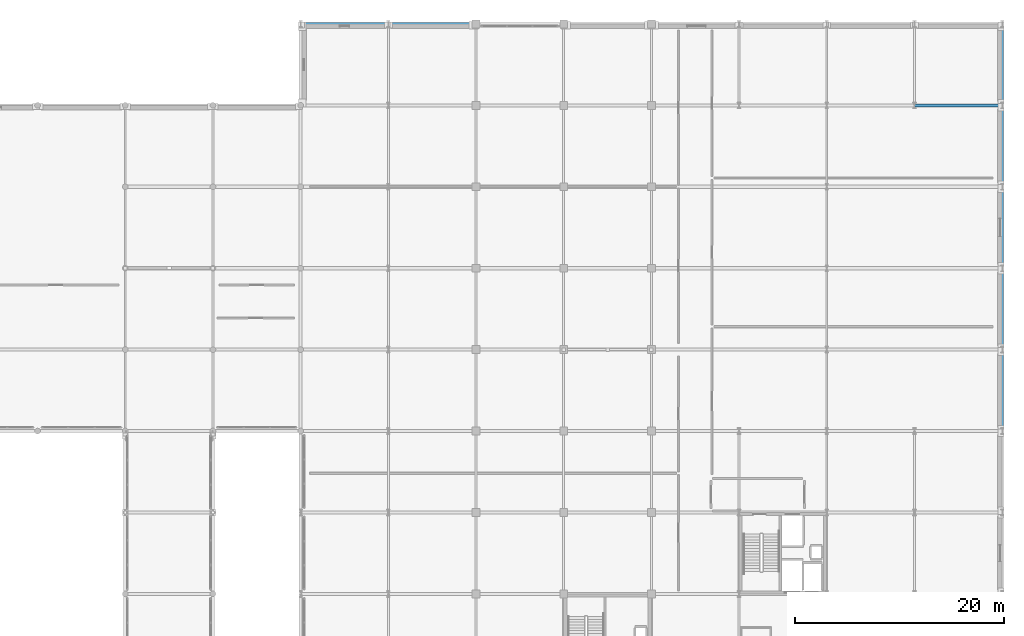
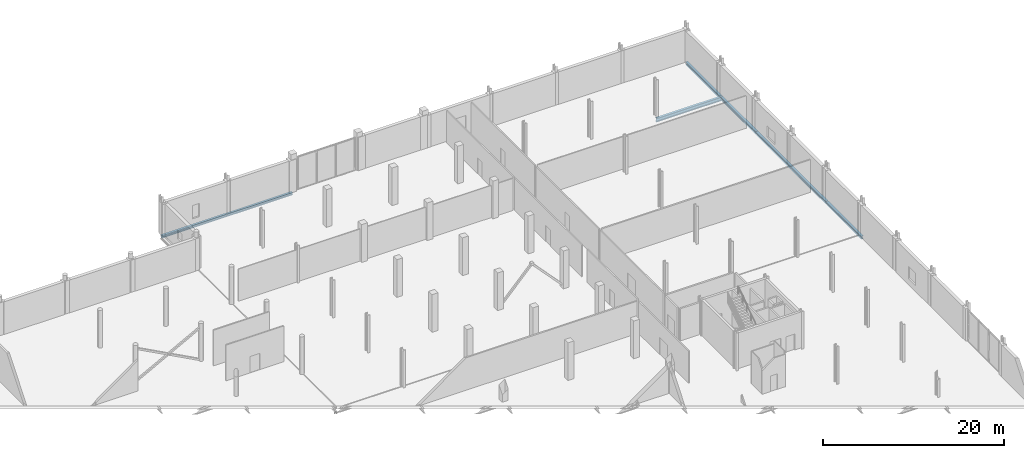
# One storey, part 65 of 105: 8 beams.
"""IFC4 building model written with IfcOpenShell, lengths in metres."""

import ifcopenshell
import ifcopenshell.guid

model = None  # the IFC model being written
_history = None  # IfcOwnerHistory: only IFC2X3 demands one
_inside = {}  # id of a spatial element -> (the spatial element, [elements in it])
_under = {}  # id of a project, library or spatial element -> (it, [spatial elements below it])
_declared = {}  # id of a project -> (the project, [libraries it declares])
_typed = {}  # id of a type object -> (the type object, [elements of that type])
_made_of = {}  # id of a material, layer set ... -> (it, [elements and type objects made of it])


def new_model(schema):
    """Start an empty IFC model of exactly this schema.

    Asked for "IFC4X3", IfcOpenShell would pick the latest addendum, in which some entities
    have other attributes; the version numbers below select the first issue.
    IFC2X3 requires an IfcOwnerHistory on every rooted entity: one is made here for all.
    """
    global model, _history
    if schema == "IFC4X3":
        model = ifcopenshell.file(schema_version=(4, 3, 0, 0))
    else:
        model = ifcopenshell.file(schema=schema)
    _inside.clear()
    _under.clear()
    _declared.clear()
    _typed.clear()
    _made_of.clear()
    _history = None
    if model.schema == "IFC2X3":
        org = make("IfcOrganization", Name="unknown")
        user = make(
            "IfcPersonAndOrganization",
            ThePerson=make("IfcPerson", FamilyName="unknown"),
            TheOrganization=org,
        )
        app = make(
            "IfcApplication",
            ApplicationDeveloper=org,
            Version="unknown",
            ApplicationFullName="unknown",
            ApplicationIdentifier="unknown",
        )
        _history = make(
            "IfcOwnerHistory",
            OwningUser=user,
            OwningApplication=app,
            ChangeAction="ADDED",
            CreationDate=0,
        )
    return model


def make(cls, **values):
    """One entity of the class cls with the attributes given. An attribute that is None is left unset."""
    return model.create_entity(
        cls, **{name: value for name, value in values.items() if value is not None}
    )


def rooted(cls, **values):
    """An entity with a GlobalId (a new one), such as an element, a storey or a relation."""
    return make(cls, GlobalId=ifcopenshell.guid.new(), OwnerHistory=_history, **values)


def si_unit(unit_type, name, prefix=None):
    """IfcSIUnit, for example si_unit("LENGTHUNIT", "METRE", prefix="MILLI")."""
    return make("IfcSIUnit", UnitType=unit_type, Prefix=prefix, Name=name)


def assignment(units):
    """IfcUnitAssignment: the units of a project."""
    return None if units is None else make("IfcUnitAssignment", Units=units)


def point(xyz):
    """IfcCartesianPoint."""
    return None if xyz is None else make("IfcCartesianPoint", Coordinates=xyz)


def direction(xyz):
    """IfcDirection."""
    return None if xyz is None else make("IfcDirection", DirectionRatios=xyz)


def frame(location, z_axis=None, x_axis=None):
    """IfcAxis2Placement3D, a coordinate frame: its origin and axes. An axis left out is left unset."""
    return make(
        "IfcAxis2Placement3D",
        Location=point(location),
        Axis=direction(z_axis),
        RefDirection=direction(x_axis),
    )


def frame_2d(location, x_axis=None):
    """IfcAxis2Placement2D, a coordinate frame in the plane: its origin and x axis."""
    return make(
        "IfcAxis2Placement2D", Location=point(location), RefDirection=direction(x_axis)
    )


def origin():
    """The frame at (0, 0, 0) with its axes left unset."""
    return frame((0.0, 0.0, 0.0))


def origin_2d():
    """The frame at (0, 0) in the plane with its x axis left unset."""
    return frame_2d((0.0, 0.0))


def place(relative_to, where):
    """IfcLocalPlacement: puts the frame where relative to a parent placement (None: the world)."""
    return make(
        "IfcLocalPlacement", PlacementRelTo=relative_to, RelativePlacement=where
    )


def context(
    kind, dimensions, precision=None, world=None, true_north=None, identifier=None
):
    """IfcGeometricRepresentationContext, for example the 3D "Model" context."""
    return make(
        "IfcGeometricRepresentationContext",
        ContextIdentifier=identifier,
        ContextType=kind,
        CoordinateSpaceDimension=dimensions,
        Precision=precision,
        WorldCoordinateSystem=world,
        TrueNorth=true_north,
    )


def subcontext(parent, identifier, kind, view, scale=None):
    """IfcGeometricRepresentationSubContext, for example "Body" below "Model"."""
    return make(
        "IfcGeometricRepresentationSubContext",
        ContextIdentifier=identifier,
        ContextType=kind,
        ParentContext=parent,
        TargetScale=scale,
        TargetView=view,
    )


def project(units=None, contexts=None):
    """IfcProject with its units and contexts."""
    return rooted(
        "IfcProject",
        Name="project",
        RepresentationContexts=contexts,
        UnitsInContext=assignment(units),
    )


def spatial(cls, under=None, at=None, **own):
    """A site, building, storey or space (cls), placed at a placement, below another one or the project."""
    s = rooted(cls, ObjectPlacement=at, **own)
    if under is not None:
        _under.setdefault(under.id(), (under, []))[1].append(s)
    return s


def profile(cls, at=None, kind="AREA", **sizes):
    """A parametric profile (cls). Its sizes go by their IFC names, for example OverallWidth=200.0."""
    return make(cls, ProfileType=kind, Position=at, **sizes)


def i_section(**sizes):
    """IfcIShapeProfileDef."""
    return profile("IfcIShapeProfileDef", **sizes)


def extrude(swept, where, along, depth):
    """IfcExtrudedAreaSolid: the profile swept, set in the frame where, extruded along a direction by depth."""
    return make(
        "IfcExtrudedAreaSolid",
        SweptArea=swept,
        Position=where,
        ExtrudedDirection=direction(along),
        Depth=depth,
    )


def shape(context_of_items, identifier, shape_type, items):
    """IfcShapeRepresentation: the items that make up one representation, for example the "Body"."""
    return make(
        "IfcShapeRepresentation",
        ContextOfItems=context_of_items,
        RepresentationIdentifier=identifier,
        RepresentationType=shape_type,
        Items=items,
    )


def material(Name=None, Category=None):
    """IfcMaterial."""
    return make("IfcMaterial", Name=Name, Category=Category)


def material_profile(
    of_material, cross_section, Name=None, Category=None, Priority=None
):
    """IfcMaterialProfile: a cross section and its material."""
    return make(
        "IfcMaterialProfile",
        Name=Name,
        Material=of_material,
        Profile=cross_section,
        Priority=Priority,
        Category=Category,
    )


def profile_set(profiles, Name=None, composite=None):
    """IfcMaterialProfileSet."""
    return make(
        "IfcMaterialProfileSet",
        Name=Name,
        MaterialProfiles=profiles,
        CompositeProfile=composite,
    )


def made_of(thing, what):
    """Note that an element or type object is made of a material, layer set ...; save() writes the relation."""
    if what is not None:
        _made_of.setdefault(what.id(), (what, []))[1].append(thing)
    return thing


def type_object(cls, material=None, **own):
    """A type object (cls), such as IfcWallType, which elements share."""
    return made_of(rooted(cls, **own), material)


def element(
    cls,
    number,
    at=None,
    inside=None,
    cuts=None,
    type_object=None,
    material=None,
    context=None,
    identifier="Body",
    shape_type=None,
    held_by="IfcProductDefinitionShape",
    body=None,
    shapes=None,
    **own,
):
    """One element of the class cls, such as IfcWall. Its Tag is "e" and its number.

    at: its placement. inside: the storey or other place that contains it. cuts: it is an
    opening in that element (IfcRelVoidsElement). A single representation is given by context,
    identifier, shape_type and body (its items); several are given by shapes. held_by: the class
    of the entity that holds the representations. save() writes the other relations.
    """
    e = rooted(cls, Tag="e%d" % number, ObjectPlacement=at, **own)
    if body is not None:
        shapes = [shape(context, identifier, shape_type, body)]
    if shapes is not None:
        e.Representation = make(held_by, Representations=shapes)
    if inside is not None:
        _inside.setdefault(inside.id(), (inside, []))[1].append(e)
    if cuts is not None:
        rooted(
            "IfcRelVoidsElement", RelatingBuildingElement=cuts, RelatedOpeningElement=e
        )
    if type_object is not None:
        _typed.setdefault(type_object.id(), (type_object, []))[1].append(e)
    return made_of(e, material)


def aggregate(whole, parts):
    """IfcRelAggregates: a whole, such as a stair, and the parts it consists of."""
    return rooted("IfcRelAggregates", RelatingObject=whole, RelatedObjects=parts)


def save(model, path):
    """Write the relations noted so far, then the file.

    IfcRelAggregates (storeys below a building ...), IfcRelContainedInSpatialStructure (elements
    in a storey), IfcRelDefinesByType, IfcRelAssociatesMaterial and IfcRelDeclares: one each for
    every whole, place, type object, material and project.
    """
    for whole, parts in _under.values():
        aggregate(whole, parts)
    for where, things in _inside.values():
        rooted(
            "IfcRelContainedInSpatialStructure",
            RelatedElements=things,
            RelatingStructure=where,
        )
    for kind, things in _typed.values():
        rooted("IfcRelDefinesByType", RelatedObjects=things, RelatingType=kind)
    for what, things in _made_of.values():
        rooted("IfcRelAssociatesMaterial", RelatedObjects=things, RelatingMaterial=what)
    for by, libraries in _declared.values():
        rooted("IfcRelDeclares", RelatingContext=by, RelatedDefinitions=libraries)
    model.write(path)


model = new_model("IFC4")

# Units and contexts
model_context = context("Model", 3, precision=1e-05, world=origin(), true_north=direction((0.0, 1.0)))
body_context = subcontext(model_context, "Body", "Model", "MODEL_VIEW")
ifc_project = project(units=[si_unit("LENGTHUNIT", "METRE"), si_unit("AREAUNIT", "SQUARE_METRE"), si_unit("VOLUMEUNIT", "CUBIC_METRE"), si_unit("PLANEANGLEUNIT", "RADIAN"), si_unit("MASSUNIT", "GRAM", prefix="KILO")], contexts=[model_context])

# Site, building, storey
site_placement = place(None, origin())
site = spatial("IfcSite", under=ifc_project, at=site_placement, CompositionType="ELEMENT")
building_placement = place(site_placement, origin())
building = spatial("IfcBuilding", under=site, at=building_placement, Name="Nabrawat Pavilion Hospital", CompositionType="ELEMENT")
storey_placement = place(building_placement, frame((0.0, 0.0, 5.10009765625)))
storey = spatial("IfcBuildingStorey", under=building, at=storey_placement, Name="L01", CompositionType="ELEMENT", Elevation=5.10009765625)

# Beams
ifc_material = material(Name="Steel S355", Category="steel")
ifc_material_profile_1 = material_profile(ifc_material, i_section(OverallWidth=0.300048828125, OverallDepth=0.389892578125, WebThickness=0.010986328125, FlangeThickness=0.01904296875, FilletRadius=0.027099609375, at=origin_2d()), Name="HEA 400")
ifc_profile_set_1 = profile_set([ifc_material_profile_1], Name="Steel S355")
beam_type_1 = type_object("IfcBeamType", Name="Perimeter Moment Spandrel Beam HEA 400", PredefinedType="SPANDREL", material=ifc_profile_set_1)
beam_1_placement = place(storey_placement, frame((193.199951171875, 85.820068359375, -0.445068359375), z_axis=(0.0, 1.0, 0.0), x_axis=(-1.0, 0.0, 0.0)))
element("IfcBeam", 1, at=beam_1_placement, inside=storey, type_object=beam_type_1, Name="L01 Primary Y Beam 922", PredefinedType="SPANDREL", context=body_context, shape_type="SweptSolid", body=[
    extrude(i_section(OverallWidth=0.300048828125, OverallDepth=0.389892578125, WebThickness=0.010986328125, FlangeThickness=0.01904296875, FilletRadius=0.027099609375, at=origin_2d()), origin(), (0.0, 0.0, 1.0), 7.760009765625),
])
beam_2_placement = place(storey_placement, frame((193.199951171875, 93.6201171875, -0.445068359375), z_axis=(0.0, 1.0, 0.0), x_axis=(-1.0, 0.0, 0.0)))
element("IfcBeam", 2, at=beam_2_placement, inside=storey, type_object=beam_type_1, Name="L01 Primary Y Beam 923", PredefinedType="SPANDREL", context=body_context, shape_type="SweptSolid", body=[
    extrude(i_section(OverallWidth=0.300048828125, OverallDepth=0.389892578125, WebThickness=0.010986328125, FlangeThickness=0.01904296875, FilletRadius=0.027099609375, at=origin_2d()), origin(), (0.0, 0.0, 1.0), 7.759765625),
])
for number, where, z_axis, x_axis, name in (
    (3, (193.199951171875, 101.419921875, -0.445068359375), (0.0, 1.0, 0.0), (-1.0, 0.0, 0.0), "L01 Primary Y Beam 924"),
    (4, (193.199951171875, 109.219970703125, -0.445068359375), (0.0, 1.0, 0.0), (-1.0, 0.0, 0.0), "L01 Primary Y Beam 925"),
    (5, (193.199951171875, 117.02001953125, -0.445068359375), (0.0, 1.0, 0.0), (-1.0, 0.0, 0.0), "L01 Primary Y Beam 926"),
):
    element("IfcBeam", number, at=place(storey_placement, frame(where, z_axis=z_axis, x_axis=x_axis)), inside=storey, type_object=beam_type_1, Name=name, PredefinedType="SPANDREL", context=body_context, shape_type="SweptSolid", body=[
        extrude(i_section(OverallWidth=0.300048828125, OverallDepth=0.389892578125, WebThickness=0.010986328125, FlangeThickness=0.01904296875, FilletRadius=0.027099609375, at=origin_2d()), origin(), (0.0, 0.0, 1.0), 7.760009765625),
    ])
ifc_material_profile_2 = material_profile(ifc_material, i_section(OverallWidth=0.300048828125, OverallDepth=0.5, WebThickness=0.014404296875, FlangeThickness=0.028076171875, FilletRadius=0.027099609375, at=origin_2d()), Name="HEB 500")
ifc_profile_set_2 = profile_set([ifc_material_profile_2], Name="Steel S355")
beam_type_2 = type_object("IfcBeamType", Name="Primary Floor Girder HEB 500", PredefinedType="USERDEFINED", material=ifc_profile_set_2)
beam_3_placement = place(storey_placement, frame((184.820068359375, 117.0, -0.5), z_axis=(1.0, 0.0, 0.0), x_axis=(0.0, 1.0, 0.0)))
element("IfcBeam", 6, at=beam_3_placement, inside=storey, type_object=beam_type_2, Name="L01 Primary X Girder 685", ObjectType="GIRDER", PredefinedType="USERDEFINED", context=body_context, shape_type="SweptSolid", body=[
    extrude(i_section(OverallWidth=0.300048828125, OverallDepth=0.5, WebThickness=0.014404296875, FlangeThickness=0.028076171875, FilletRadius=0.027099609375, at=origin_2d()), origin(), (0.0, 0.0, 1.0), 8.35986328125),
])
ifc_material_profile_3 = material_profile(ifc_material, i_section(OverallWidth=0.300048828125, OverallDepth=0.340087890625, WebThickness=0.011962890625, FlangeThickness=0.021484375, FilletRadius=0.027099609375, at=origin_2d()), Name="HEB 340")
ifc_profile_set_3 = profile_set([ifc_material_profile_3], Name="Steel S355")
beam_type_3 = type_object("IfcBeamType", Name="Ward Perimeter Spandrel Beam HEB 340", PredefinedType="SPANDREL", material=ifc_profile_set_3)
beam_4_placement = place(storey_placement, frame((126.02001953125, 124.800048828125, -0.420166015625), z_axis=(1.0, 0.0, 0.0), x_axis=(0.0, 1.0, 0.0)))
element("IfcBeam", 7, at=beam_4_placement, inside=storey, type_object=beam_type_3, Name="L01 Primary X Girder 686", PredefinedType="SPANDREL", context=body_context, shape_type="SweptSolid", body=[
    extrude(i_section(OverallWidth=0.300048828125, OverallDepth=0.340087890625, WebThickness=0.011962890625, FlangeThickness=0.021484375, FilletRadius=0.027099609375, at=origin_2d()), origin(), (0.0, 0.0, 1.0), 8.35986328125),
])
beam_5_placement = place(storey_placement, frame((134.419921875, 124.800048828125, -0.420166015625), z_axis=(1.0, 0.0, 0.0), x_axis=(0.0, 1.0, 0.0)))
element("IfcBeam", 8, at=beam_5_placement, inside=storey, type_object=beam_type_3, Name="L01 Primary X Girder 687", PredefinedType="SPANDREL", context=body_context, shape_type="SweptSolid", body=[
    extrude(i_section(OverallWidth=0.300048828125, OverallDepth=0.340087890625, WebThickness=0.011962890625, FlangeThickness=0.021484375, FilletRadius=0.027099609375, at=origin_2d()), origin(), (0.0, 0.0, 1.0), 8.360107421875),
])

save(model, "model.ifc")
